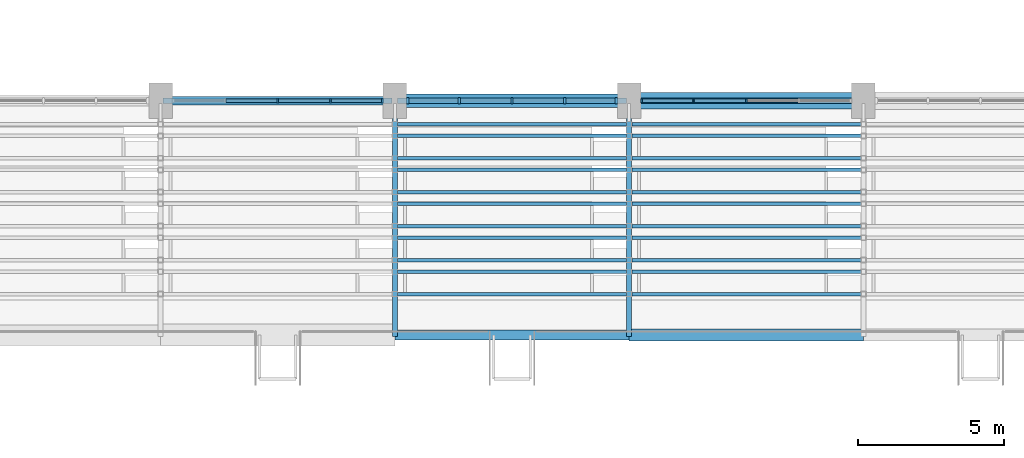
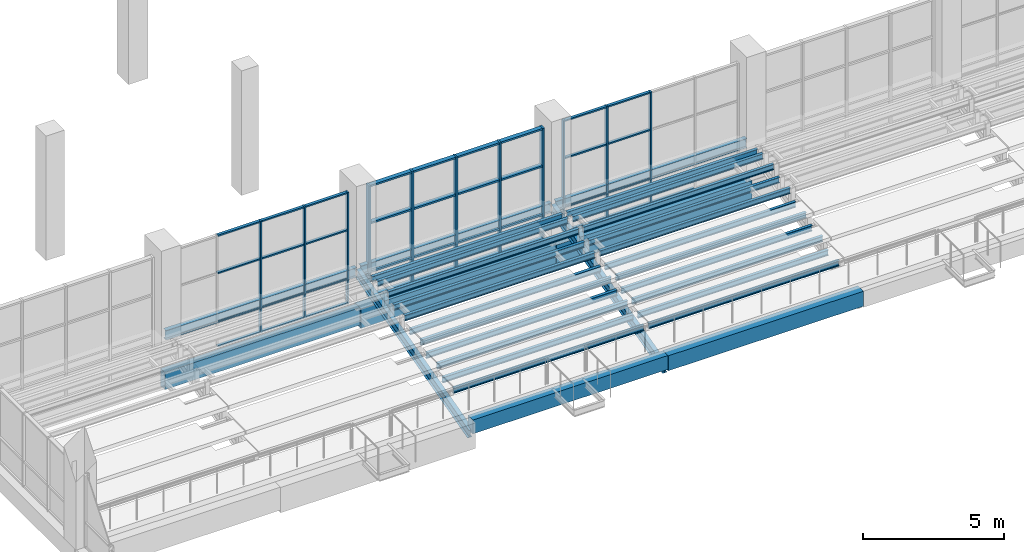
# One storey, part 16 of 122: 48 members, 32 beams, 3 elements without a shape of their own.
"""IFC4 building model written with IfcOpenShell, lengths in metres."""

from ifc_helpers import new_model, si_unit, direction, frame, origin, origin_2d, place, context, subcontext, project, spatial, rectangle, i_section, extrude, material, material_profile, profile_set, type_object, element, aggregate, save


model = new_model("IFC4")

# Units and contexts
model_context = context("Model", 3, precision=1e-05, world=origin(), true_north=direction((0.0, 1.0)))
body_context = subcontext(model_context, "Body", "Model", "MODEL_VIEW")
ifc_project = project(units=[si_unit("LENGTHUNIT", "METRE"), si_unit("AREAUNIT", "SQUARE_METRE"), si_unit("VOLUMEUNIT", "CUBIC_METRE"), si_unit("PLANEANGLEUNIT", "RADIAN"), si_unit("MASSUNIT", "GRAM", prefix="KILO")], contexts=[model_context])

# Site, building, storey
site_placement = place(None, origin())
site = spatial("IfcSite", under=ifc_project, at=site_placement, CompositionType="ELEMENT")
building_placement = place(site_placement, origin())
building = spatial("IfcBuilding", under=site, at=building_placement, Name="Tenunan Teduh Sports Hall", CompositionType="ELEMENT")
storey_placement = place(building_placement, frame((0.0, 0.0, 5.39990234375)))
storey = spatial("IfcBuildingStorey", under=building, at=storey_placement, Name="L01", CompositionType="ELEMENT", Elevation=5.39990234375)

# Beams
ifc_material_1 = material(Name="Concrete C40/50", Category="concrete")
ifc_material_profile_1 = material_profile(ifc_material_1, rectangle(XDim=0.35009765625, YDim=0.60009765625, at=origin_2d()), Name="RCB 350x600")
ifc_profile_set_1 = profile_set([ifc_material_profile_1], Name="Concrete C40/50")
beam_type_1 = type_object("IfcBeamType", Name="BM-RC-350x600", PredefinedType="BEAM", material=ifc_profile_set_1)
beam_1_placement = place(storey_placement, frame((22.0, 38.0, -0.559814453125), z_axis=(1.0, 0.0, 0.0), x_axis=(0.0, 1.0, 0.0)))
element("IfcBeam", 1, at=beam_1_placement, inside=storey, type_object=beam_type_1, Name="BM-B-04-L01-1056", PredefinedType="BEAM", context=body_context, shape_type="SweptSolid", body=[
    extrude(rectangle(XDim=0.35009765625, YDim=0.60009765625, at=origin_2d()), origin(), (0.0, 0.0, 1.0), 8.0),
])
ifc_material_2 = material(Name="Concrete C40/50", Category="concrete")
ifc_material_profile_2 = material_profile(ifc_material_2, rectangle(XDim=0.39990234375, YDim=0.64990234375, at=origin_2d()), Name="RCB 400x650")
ifc_profile_set_2 = profile_set([ifc_material_profile_2], Name="Concrete C40/50")
beam_type_2 = type_object("IfcBeamType", Name="BM-RC-400x650", PredefinedType="BEAM", material=ifc_profile_set_2)
beam_2_placement = place(storey_placement, frame((30.0, 38.0, -0.5849609375), z_axis=(1.0, 0.0, 0.0), x_axis=(0.0, 1.0, 0.0)))
element("IfcBeam", 2, at=beam_2_placement, inside=storey, type_object=beam_type_2, Name="BM-B-07-L01-1057", PredefinedType="BEAM", context=body_context, shape_type="SweptSolid", body=[
    extrude(rectangle(XDim=0.39990234375, YDim=0.64990234375, at=origin_2d()), origin(), (0.0, 0.0, 1.0), 8.0),
])
ifc_material_3 = material(Name="Concrete C40/50", Category="concrete")
ifc_material_profile_3 = material_profile(ifc_material_3, rectangle(XDim=0.449951171875, YDim=0.85009765625, at=origin_2d()), Name="RCB 450x850")
ifc_profile_set_3 = profile_set([ifc_material_profile_3], Name="Concrete C40/50")
beam_type_3 = type_object("IfcBeamType", Name="BM-RC-450x850", PredefinedType="BEAM", material=ifc_profile_set_3)
beam_3_placement = place(storey_placement, frame((22.0, 46.0, -0.684814453125), z_axis=(1.0, 0.0, 0.0), x_axis=(0.0, 1.0, 0.0)))
element("IfcBeam", 3, at=beam_3_placement, inside=storey, type_object=beam_type_3, Name="BM-B-13-L01-1072", PredefinedType="BEAM", context=body_context, shape_type="SweptSolid", body=[
    extrude(rectangle(XDim=0.449951171875, YDim=0.85009765625, at=origin_2d()), origin(), (0.0, 0.0, 1.0), 8.0),
])
ifc_material_4 = material(Name="Concrete C40/50", Category="concrete")
ifc_material_profile_4 = material_profile(ifc_material_4, rectangle(XDim=0.550048828125, YDim=0.89990234375, at=origin_2d()), Name="RCB 550x900")
ifc_profile_set_4 = profile_set([ifc_material_profile_4], Name="Concrete C40/50")
beam_type_4 = type_object("IfcBeamType", Name="BM-RC-550x900", PredefinedType="BEAM", material=ifc_profile_set_4)
beam_4_placement = place(storey_placement, frame((30.0, 46.0, -0.7099609375), z_axis=(1.0, 0.0, 0.0), x_axis=(0.0, 1.0, 0.0)))
element("IfcBeam", 4, at=beam_4_placement, inside=storey, type_object=beam_type_4, Name="BM-B-16-L01-1073", PredefinedType="BEAM", context=body_context, shape_type="SweptSolid", body=[
    extrude(rectangle(XDim=0.550048828125, YDim=0.89990234375, at=origin_2d()), origin(), (0.0, 0.0, 1.0), 8.0),
])
ifc_material_5 = material(Name="Concrete C40/50", Category="concrete")
ifc_material_profile_5 = material_profile(ifc_material_5, rectangle(XDim=0.300048828125, YDim=0.75, at=origin_2d()), Name="SPB 300x750")
ifc_profile_set_5 = profile_set([ifc_material_profile_5], Name="Concrete C40/50")
beam_type_5 = type_object("IfcBeamType", Name="BM-SP-300x750", PredefinedType="SPANDREL", material=ifc_profile_set_5)
beam_5_placement = place(storey_placement, frame((14.0, 46.0, -0.635009765625), z_axis=(1.0, 0.0, 0.0), x_axis=(0.0, 1.0, 0.0)))
element("IfcBeam", 5, at=beam_5_placement, inside=storey, type_object=beam_type_5, Name="BM-SP-01-L01-1071", PredefinedType="SPANDREL", context=body_context, shape_type="SweptSolid", body=[
    extrude(rectangle(XDim=0.300048828125, YDim=0.75, at=origin_2d()), origin(), (0.0, 0.0, 1.0), 8.0),
])

# Curtain wall, members
ifc_material_6 = material(Name="Anodised aluminium", Category="aluminium")
curtain_wall_type = type_object("IfcCurtainWallType", Name="CW-UNIT-1", PredefinedType="NOTDEFINED", material=ifc_material_6)
curtain_wall_1_placement = place(storey_placement, origin())
curtain_wall_1 = element("IfcCurtainWall", 6, at=curtain_wall_1_placement, inside=storey, type_object=curtain_wall_type, Name="CW-CWM-150-L01-043", PredefinedType="NOTDEFINED")
ifc_material_7 = material(Name="Anodised aluminium", Category="aluminium")
ifc_material_profile_6 = material_profile(ifc_material_7, rectangle(XDim=0.06005859375, YDim=0.14990234375, at=origin_2d()), Name="CWM 60x150")
ifc_profile_set_6 = profile_set([ifc_material_profile_6], Name="Anodised aluminium")
member_type_1 = type_object("IfcMemberType", Name="CWM-150", PredefinedType="MULLION", material=ifc_profile_set_6)
member_1_placement = place(storey_placement, frame((18.0, 46.0, 0.0), z_axis=(0.0, 0.0, 1.0), x_axis=(1.0, 0.0, 0.0)))
member_1 = element("IfcMember", 7, at=member_1_placement, type_object=member_type_1, Name="CW-01 mullion 3", PredefinedType="MULLION", context=body_context, shape_type="SweptSolid", body=[
    extrude(rectangle(XDim=0.06005859375, YDim=0.14990234375, at=origin_2d()), origin(), (0.0, 0.0, 1.0), 4.85009765625),
])
member_2_placement = place(storey_placement, frame((19.800048828125, 46.0, 0.0), z_axis=(0.0, 0.0, 1.0), x_axis=(1.0, 0.0, 0.0)))
member_2 = element("IfcMember", 8, at=member_2_placement, type_object=member_type_1, Name="CW-01 mullion 4", PredefinedType="MULLION", context=body_context, shape_type="SweptSolid", body=[
    extrude(rectangle(XDim=0.06005859375, YDim=0.14990234375, at=origin_2d()), origin(), (0.0, 0.0, 1.0), 4.85009765625),
])
member_3_placement = place(storey_placement, frame((21.570068359375, 46.0, 0.0), z_axis=(0.0, 0.0, 1.0), x_axis=(1.0, 0.0, 0.0)))
member_3 = element("IfcMember", 9, at=member_3_placement, type_object=member_type_1, Name="CW-01 mullion 5", PredefinedType="MULLION", context=body_context, shape_type="SweptSolid", body=[
    extrude(rectangle(XDim=0.06005859375, YDim=0.14990234375, at=origin_2d()), origin(), (0.0, 0.0, 1.0), 4.85009765625),
])

curtain_wall_2_placement = place(storey_placement, origin())
curtain_wall_2 = element("IfcCurtainWall", 10, at=curtain_wall_2_placement, inside=storey, type_object=curtain_wall_type, Name="CW-CWM-150-L01-047", PredefinedType="NOTDEFINED")
member_4_placement = place(storey_placement, frame((30.429931640625, 46.0, 0.0), z_axis=(0.0, 0.0, 1.0), x_axis=(1.0, 0.0, 0.0)))
member_4 = element("IfcMember", 11, at=member_4_placement, type_object=member_type_1, Name="CW-01 mullion 1", PredefinedType="MULLION", context=body_context, shape_type="SweptSolid", body=[
    extrude(rectangle(XDim=0.06005859375, YDim=0.14990234375, at=origin_2d()), origin(), (0.0, 0.0, 1.0), 4.85009765625),
])
member_5_placement = place(storey_placement, frame((32.199951171875, 46.0, 0.0), z_axis=(0.0, 0.0, 1.0), x_axis=(1.0, 0.0, 0.0)))
member_5 = element("IfcMember", 12, at=member_5_placement, type_object=member_type_1, Name="CW-01 mullion 2", PredefinedType="MULLION", context=body_context, shape_type="SweptSolid", body=[
    extrude(rectangle(XDim=0.06005859375, YDim=0.14990234375, at=origin_2d()), origin(), (0.0, 0.0, 1.0), 4.85009765625),
])
member_6_placement = place(storey_placement, frame((34.0, 46.0, 0.0), z_axis=(0.0, 0.0, 1.0), x_axis=(1.0, 0.0, 0.0)))
member_6 = element("IfcMember", 13, at=member_6_placement, type_object=member_type_1, Name="CW-01 mullion 3", PredefinedType="MULLION", context=body_context, shape_type="SweptSolid", body=[
    extrude(rectangle(XDim=0.06005859375, YDim=0.14990234375, at=origin_2d()), origin(), (0.0, 0.0, 1.0), 4.85009765625),
])

curtain_wall_3_placement = place(storey_placement, origin())
curtain_wall_3 = element("IfcCurtainWall", 14, at=curtain_wall_3_placement, inside=storey, type_object=curtain_wall_type, Name="CW-CWM-220-L01-045", PredefinedType="NOTDEFINED")
ifc_material_8 = material(Name="Anodised aluminium", Category="aluminium")
ifc_material_profile_7 = material_profile(ifc_material_8, rectangle(XDim=0.074951171875, YDim=0.219970703125, at=origin_2d()), Name="CWM 75x220")
ifc_profile_set_7 = profile_set([ifc_material_profile_7], Name="Anodised aluminium")
member_type_2 = type_object("IfcMemberType", Name="CWM-220", PredefinedType="MULLION", material=ifc_profile_set_7)
member_7_placement = place(storey_placement, frame((22.4375, 46.0, 0.0), z_axis=(0.0, 0.0, 1.0), x_axis=(1.0, 0.0, 0.0)))
member_7 = element("IfcMember", 15, at=member_7_placement, type_object=member_type_2, Name="CW-01 mullion 1", PredefinedType="MULLION", context=body_context, shape_type="SweptSolid", body=[
    extrude(rectangle(XDim=0.074951171875, YDim=0.219970703125, at=origin_2d()), origin(), (0.0, 0.0, 1.0), 4.85009765625),
])
member_8_placement = place(storey_placement, frame((24.199951171875, 46.0, 0.0), z_axis=(0.0, 0.0, 1.0), x_axis=(1.0, 0.0, 0.0)))
member_8 = element("IfcMember", 16, at=member_8_placement, type_object=member_type_2, Name="CW-01 mullion 2", PredefinedType="MULLION", context=body_context, shape_type="SweptSolid", body=[
    extrude(rectangle(XDim=0.074951171875, YDim=0.219970703125, at=origin_2d()), origin(), (0.0, 0.0, 1.0), 4.85009765625),
])
member_9_placement = place(storey_placement, frame((26.0, 46.0, 0.0), z_axis=(0.0, 0.0, 1.0), x_axis=(1.0, 0.0, 0.0)))
member_9 = element("IfcMember", 17, at=member_9_placement, type_object=member_type_2, Name="CW-01 mullion 3", PredefinedType="MULLION", context=body_context, shape_type="SweptSolid", body=[
    extrude(rectangle(XDim=0.074951171875, YDim=0.219970703125, at=origin_2d()), origin(), (0.0, 0.0, 1.0), 4.85009765625),
])
member_10_placement = place(storey_placement, frame((27.800048828125, 46.0, 0.0), z_axis=(0.0, 0.0, 1.0), x_axis=(1.0, 0.0, 0.0)))
member_10 = element("IfcMember", 18, at=member_10_placement, type_object=member_type_2, Name="CW-01 mullion 4", PredefinedType="MULLION", context=body_context, shape_type="SweptSolid", body=[
    extrude(rectangle(XDim=0.074951171875, YDim=0.219970703125, at=origin_2d()), origin(), (0.0, 0.0, 1.0), 4.85009765625),
])
member_11_placement = place(storey_placement, frame((29.5625, 46.0, 0.0), z_axis=(0.0, 0.0, 1.0), x_axis=(1.0, 0.0, 0.0)))
member_11 = element("IfcMember", 19, at=member_11_placement, type_object=member_type_2, Name="CW-01 mullion 5", PredefinedType="MULLION", context=body_context, shape_type="SweptSolid", body=[
    extrude(rectangle(XDim=0.074951171875, YDim=0.219970703125, at=origin_2d()), origin(), (0.0, 0.0, 1.0), 4.85009765625),
])

# Member
ifc_material_9 = material(Name="Anodised aluminium", Category="aluminium")
ifc_material_profile_8 = material_profile(ifc_material_9, rectangle(XDim=0.06005859375, YDim=0.1201171875, at=origin_2d()), Name="CWT 60x120")
ifc_profile_set_8 = profile_set([ifc_material_profile_8], Name="Anodised aluminium")
member_type_3 = type_object("IfcMemberType", Name="CWT-125", PredefinedType="USERDEFINED", material=ifc_profile_set_8)
member_12_placement = place(storey_placement, frame((16.22998046875, 46.0, 0.030029296875), z_axis=(1.0, 0.0, 0.0), x_axis=(0.0, 0.0, 1.0)))
member_12 = element("IfcMember", 20, at=member_12_placement, type_object=member_type_3, Name="CW-01 transom 2.1", ObjectType="TRANSOM", PredefinedType="USERDEFINED", context=body_context, shape_type="SweptSolid", body=[
    extrude(rectangle(XDim=0.06005859375, YDim=0.1201171875, at=origin_2d()), origin(), (0.0, 0.0, 1.0), 1.739990234375),
])

member_13_placement = place(storey_placement, frame((16.22998046875, 46.0, 1.10009765625), z_axis=(1.0, 0.0, 0.0), x_axis=(0.0, 0.0, 1.0)))
member_13 = element("IfcMember", 21, at=member_13_placement, type_object=member_type_3, Name="CW-01 transom 2.2", ObjectType="TRANSOM", PredefinedType="USERDEFINED", context=body_context, shape_type="SweptSolid", body=[
    extrude(rectangle(XDim=0.06005859375, YDim=0.1201171875, at=origin_2d()), origin(), (0.0, 0.0, 1.0), 1.739990234375),
])

member_14_placement = place(storey_placement, frame((16.22998046875, 46.0, 3.2001953125), z_axis=(1.0, 0.0, 0.0), x_axis=(0.0, 0.0, 1.0)))
member_14 = element("IfcMember", 22, at=member_14_placement, type_object=member_type_3, Name="CW-01 transom 2.3", ObjectType="TRANSOM", PredefinedType="USERDEFINED", context=body_context, shape_type="SweptSolid", body=[
    extrude(rectangle(XDim=0.06005859375, YDim=0.1201171875, at=origin_2d()), origin(), (0.0, 0.0, 1.0), 1.739990234375),
])

member_15_placement = place(storey_placement, frame((16.22998046875, 46.0, 4.820068359375), z_axis=(1.0, 0.0, 0.0), x_axis=(0.0, 0.0, 1.0)))
member_15 = element("IfcMember", 23, at=member_15_placement, type_object=member_type_3, Name="CW-01 transom 2.4", ObjectType="TRANSOM", PredefinedType="USERDEFINED", context=body_context, shape_type="SweptSolid", body=[
    extrude(rectangle(XDim=0.06005859375, YDim=0.1201171875, at=origin_2d()), origin(), (0.0, 0.0, 1.0), 1.739990234375),
])

member_16_placement = place(storey_placement, frame((18.030029296875, 46.0, 0.030029296875), z_axis=(1.0, 0.0, 0.0), x_axis=(0.0, 0.0, 1.0)))
member_16 = element("IfcMember", 24, at=member_16_placement, type_object=member_type_3, Name="CW-01 transom 3.1", ObjectType="TRANSOM", PredefinedType="USERDEFINED", context=body_context, shape_type="SweptSolid", body=[
    extrude(rectangle(XDim=0.06005859375, YDim=0.1201171875, at=origin_2d()), origin(), (0.0, 0.0, 1.0), 1.739990234375),
])

member_17_placement = place(storey_placement, frame((18.030029296875, 46.0, 1.10009765625), z_axis=(1.0, 0.0, 0.0), x_axis=(0.0, 0.0, 1.0)))
member_17 = element("IfcMember", 25, at=member_17_placement, type_object=member_type_3, Name="CW-01 transom 3.2", ObjectType="TRANSOM", PredefinedType="USERDEFINED", context=body_context, shape_type="SweptSolid", body=[
    extrude(rectangle(XDim=0.06005859375, YDim=0.1201171875, at=origin_2d()), origin(), (0.0, 0.0, 1.0), 1.739990234375),
])

member_18_placement = place(storey_placement, frame((18.030029296875, 46.0, 3.2001953125), z_axis=(1.0, 0.0, 0.0), x_axis=(0.0, 0.0, 1.0)))
member_18 = element("IfcMember", 26, at=member_18_placement, type_object=member_type_3, Name="CW-01 transom 3.3", ObjectType="TRANSOM", PredefinedType="USERDEFINED", context=body_context, shape_type="SweptSolid", body=[
    extrude(rectangle(XDim=0.06005859375, YDim=0.1201171875, at=origin_2d()), origin(), (0.0, 0.0, 1.0), 1.739990234375),
])

member_19_placement = place(storey_placement, frame((18.030029296875, 46.0, 4.820068359375), z_axis=(1.0, 0.0, 0.0), x_axis=(0.0, 0.0, 1.0)))
member_19 = element("IfcMember", 27, at=member_19_placement, type_object=member_type_3, Name="CW-01 transom 3.4", ObjectType="TRANSOM", PredefinedType="USERDEFINED", context=body_context, shape_type="SweptSolid", body=[
    extrude(rectangle(XDim=0.06005859375, YDim=0.1201171875, at=origin_2d()), origin(), (0.0, 0.0, 1.0), 1.739990234375),
])

member_20_placement = place(storey_placement, frame((19.830078125, 46.0, 0.030029296875), z_axis=(1.0, 0.0, 0.0), x_axis=(0.0, 0.0, 1.0)))
member_20 = element("IfcMember", 28, at=member_20_placement, type_object=member_type_3, Name="CW-01 transom 4.1", ObjectType="TRANSOM", PredefinedType="USERDEFINED", context=body_context, shape_type="SweptSolid", body=[
    extrude(rectangle(XDim=0.06005859375, YDim=0.1201171875, at=origin_2d()), origin(), (0.0, 0.0, 1.0), 1.7099609375),
])

member_21_placement = place(storey_placement, frame((19.830078125, 46.0, 1.10009765625), z_axis=(1.0, 0.0, 0.0), x_axis=(0.0, 0.0, 1.0)))
member_21 = element("IfcMember", 29, at=member_21_placement, type_object=member_type_3, Name="CW-01 transom 4.2", ObjectType="TRANSOM", PredefinedType="USERDEFINED", context=body_context, shape_type="SweptSolid", body=[
    extrude(rectangle(XDim=0.06005859375, YDim=0.1201171875, at=origin_2d()), origin(), (0.0, 0.0, 1.0), 1.7099609375),
])

member_22_placement = place(storey_placement, frame((19.830078125, 46.0, 3.2001953125), z_axis=(1.0, 0.0, 0.0), x_axis=(0.0, 0.0, 1.0)))
member_22 = element("IfcMember", 30, at=member_22_placement, type_object=member_type_3, Name="CW-01 transom 4.3", ObjectType="TRANSOM", PredefinedType="USERDEFINED", context=body_context, shape_type="SweptSolid", body=[
    extrude(rectangle(XDim=0.06005859375, YDim=0.1201171875, at=origin_2d()), origin(), (0.0, 0.0, 1.0), 1.7099609375),
])

member_23_placement = place(storey_placement, frame((19.830078125, 46.0, 4.820068359375), z_axis=(1.0, 0.0, 0.0), x_axis=(0.0, 0.0, 1.0)))
member_23 = element("IfcMember", 31, at=member_23_placement, type_object=member_type_3, Name="CW-01 transom 4.4", ObjectType="TRANSOM", PredefinedType="USERDEFINED", context=body_context, shape_type="SweptSolid", body=[
    extrude(rectangle(XDim=0.06005859375, YDim=0.1201171875, at=origin_2d()), origin(), (0.0, 0.0, 1.0), 1.7099609375),
])

aggregate(curtain_wall_1, [member_1, member_2, member_3, member_12, member_13, member_14, member_15, member_16, member_17, member_18, member_19, member_20, member_21, member_22, member_23])

member_24_placement = place(storey_placement, frame((30.4599609375, 46.0, 0.030029296875), z_axis=(1.0, 0.0, 0.0), x_axis=(0.0, 0.0, 1.0)))
member_24 = element("IfcMember", 32, at=member_24_placement, type_object=member_type_3, Name="CW-01 transom 1.1", ObjectType="TRANSOM", PredefinedType="USERDEFINED", context=body_context, shape_type="SweptSolid", body=[
    extrude(rectangle(XDim=0.06005859375, YDim=0.1201171875, at=origin_2d()), origin(), (0.0, 0.0, 1.0), 1.7099609375),
])

member_25_placement = place(storey_placement, frame((30.4599609375, 46.0, 1.10009765625), z_axis=(1.0, 0.0, 0.0), x_axis=(0.0, 0.0, 1.0)))
member_25 = element("IfcMember", 33, at=member_25_placement, type_object=member_type_3, Name="CW-01 transom 1.2", ObjectType="TRANSOM", PredefinedType="USERDEFINED", context=body_context, shape_type="SweptSolid", body=[
    extrude(rectangle(XDim=0.06005859375, YDim=0.1201171875, at=origin_2d()), origin(), (0.0, 0.0, 1.0), 1.7099609375),
])

member_26_placement = place(storey_placement, frame((30.4599609375, 46.0, 3.2001953125), z_axis=(1.0, 0.0, 0.0), x_axis=(0.0, 0.0, 1.0)))
member_26 = element("IfcMember", 34, at=member_26_placement, type_object=member_type_3, Name="CW-01 transom 1.3", ObjectType="TRANSOM", PredefinedType="USERDEFINED", context=body_context, shape_type="SweptSolid", body=[
    extrude(rectangle(XDim=0.06005859375, YDim=0.1201171875, at=origin_2d()), origin(), (0.0, 0.0, 1.0), 1.7099609375),
])

member_27_placement = place(storey_placement, frame((30.4599609375, 46.0, 4.820068359375), z_axis=(1.0, 0.0, 0.0), x_axis=(0.0, 0.0, 1.0)))
member_27 = element("IfcMember", 35, at=member_27_placement, type_object=member_type_3, Name="CW-01 transom 1.4", ObjectType="TRANSOM", PredefinedType="USERDEFINED", context=body_context, shape_type="SweptSolid", body=[
    extrude(rectangle(XDim=0.06005859375, YDim=0.1201171875, at=origin_2d()), origin(), (0.0, 0.0, 1.0), 1.7099609375),
])

member_28_placement = place(storey_placement, frame((32.22998046875, 46.0, 0.030029296875), z_axis=(1.0, 0.0, 0.0), x_axis=(0.0, 0.0, 1.0)))
member_28 = element("IfcMember", 36, at=member_28_placement, type_object=member_type_3, Name="CW-01 transom 2.1", ObjectType="TRANSOM", PredefinedType="USERDEFINED", context=body_context, shape_type="SweptSolid", body=[
    extrude(rectangle(XDim=0.06005859375, YDim=0.1201171875, at=origin_2d()), origin(), (0.0, 0.0, 1.0), 1.739990234375),
])

member_29_placement = place(storey_placement, frame((32.22998046875, 46.0, 1.10009765625), z_axis=(1.0, 0.0, 0.0), x_axis=(0.0, 0.0, 1.0)))
member_29 = element("IfcMember", 37, at=member_29_placement, type_object=member_type_3, Name="CW-01 transom 2.2", ObjectType="TRANSOM", PredefinedType="USERDEFINED", context=body_context, shape_type="SweptSolid", body=[
    extrude(rectangle(XDim=0.06005859375, YDim=0.1201171875, at=origin_2d()), origin(), (0.0, 0.0, 1.0), 1.739990234375),
])

member_30_placement = place(storey_placement, frame((32.22998046875, 46.0, 3.2001953125), z_axis=(1.0, 0.0, 0.0), x_axis=(0.0, 0.0, 1.0)))
member_30 = element("IfcMember", 38, at=member_30_placement, type_object=member_type_3, Name="CW-01 transom 2.3", ObjectType="TRANSOM", PredefinedType="USERDEFINED", context=body_context, shape_type="SweptSolid", body=[
    extrude(rectangle(XDim=0.06005859375, YDim=0.1201171875, at=origin_2d()), origin(), (0.0, 0.0, 1.0), 1.739990234375),
])

member_31_placement = place(storey_placement, frame((32.22998046875, 46.0, 4.820068359375), z_axis=(1.0, 0.0, 0.0), x_axis=(0.0, 0.0, 1.0)))
member_31 = element("IfcMember", 39, at=member_31_placement, type_object=member_type_3, Name="CW-01 transom 2.4", ObjectType="TRANSOM", PredefinedType="USERDEFINED", context=body_context, shape_type="SweptSolid", body=[
    extrude(rectangle(XDim=0.06005859375, YDim=0.1201171875, at=origin_2d()), origin(), (0.0, 0.0, 1.0), 1.739990234375),
])

member_32_placement = place(storey_placement, frame((34.030029296875, 46.0, 0.030029296875), z_axis=(1.0, 0.0, 0.0), x_axis=(0.0, 0.0, 1.0)))
member_32 = element("IfcMember", 40, at=member_32_placement, type_object=member_type_3, Name="CW-01 transom 3.1", ObjectType="TRANSOM", PredefinedType="USERDEFINED", context=body_context, shape_type="SweptSolid", body=[
    extrude(rectangle(XDim=0.06005859375, YDim=0.1201171875, at=origin_2d()), origin(), (0.0, 0.0, 1.0), 1.739990234375),
])

aggregate(curtain_wall_2, [member_4, member_5, member_6, member_24, member_25, member_26, member_27, member_28, member_29, member_30, member_31, member_32])

ifc_material_10 = material(Name="Anodised aluminium", Category="aluminium")
ifc_material_profile_9 = material_profile(ifc_material_10, rectangle(XDim=0.074951171875, YDim=0.179931640625, at=origin_2d()), Name="CWT 75x180")
ifc_profile_set_9 = profile_set([ifc_material_profile_9], Name="Anodised aluminium")
member_type_4 = type_object("IfcMemberType", Name="CWT-180", PredefinedType="USERDEFINED", material=ifc_profile_set_9)
member_33_placement = place(storey_placement, frame((22.47509765625, 46.0, 0.03759765625), z_axis=(1.0, 0.0, 0.0), x_axis=(0.0, 0.0, 1.0)))
member_33 = element("IfcMember", 41, at=member_33_placement, type_object=member_type_4, Name="CW-01 transom 1.1", ObjectType="TRANSOM", PredefinedType="USERDEFINED", context=body_context, shape_type="SweptSolid", body=[
    extrude(rectangle(XDim=0.074951171875, YDim=0.179931640625, at=origin_2d()), origin(), (0.0, 0.0, 1.0), 1.6875),
])

member_34_placement = place(storey_placement, frame((22.47509765625, 46.0, 1.10009765625), z_axis=(1.0, 0.0, 0.0), x_axis=(0.0, 0.0, 1.0)))
member_34 = element("IfcMember", 42, at=member_34_placement, type_object=member_type_4, Name="CW-01 transom 1.2", ObjectType="TRANSOM", PredefinedType="USERDEFINED", context=body_context, shape_type="SweptSolid", body=[
    extrude(rectangle(XDim=0.074951171875, YDim=0.179931640625, at=origin_2d()), origin(), (0.0, 0.0, 1.0), 1.6875),
])

member_35_placement = place(storey_placement, frame((22.47509765625, 46.0, 3.2001953125), z_axis=(1.0, 0.0, 0.0), x_axis=(0.0, 0.0, 1.0)))
member_35 = element("IfcMember", 43, at=member_35_placement, type_object=member_type_4, Name="CW-01 transom 1.3", ObjectType="TRANSOM", PredefinedType="USERDEFINED", context=body_context, shape_type="SweptSolid", body=[
    extrude(rectangle(XDim=0.074951171875, YDim=0.179931640625, at=origin_2d()), origin(), (0.0, 0.0, 1.0), 1.6875),
])

member_36_placement = place(storey_placement, frame((22.47509765625, 46.0, 4.8125), z_axis=(1.0, 0.0, 0.0), x_axis=(0.0, 0.0, 1.0)))
member_36 = element("IfcMember", 44, at=member_36_placement, type_object=member_type_4, Name="CW-01 transom 1.4", ObjectType="TRANSOM", PredefinedType="USERDEFINED", context=body_context, shape_type="SweptSolid", body=[
    extrude(rectangle(XDim=0.074951171875, YDim=0.179931640625, at=origin_2d()), origin(), (0.0, 0.0, 1.0), 1.6875),
])

member_37_placement = place(storey_placement, frame((24.237548828125, 46.0, 0.03759765625), z_axis=(1.0, 0.0, 0.0), x_axis=(0.0, 0.0, 1.0)))
member_37 = element("IfcMember", 45, at=member_37_placement, type_object=member_type_4, Name="CW-01 transom 2.1", ObjectType="TRANSOM", PredefinedType="USERDEFINED", context=body_context, shape_type="SweptSolid", body=[
    extrude(rectangle(XDim=0.074951171875, YDim=0.179931640625, at=origin_2d()), origin(), (0.0, 0.0, 1.0), 1.724853515625),
])

member_38_placement = place(storey_placement, frame((24.237548828125, 46.0, 1.10009765625), z_axis=(1.0, 0.0, 0.0), x_axis=(0.0, 0.0, 1.0)))
member_38 = element("IfcMember", 46, at=member_38_placement, type_object=member_type_4, Name="CW-01 transom 2.2", ObjectType="TRANSOM", PredefinedType="USERDEFINED", context=body_context, shape_type="SweptSolid", body=[
    extrude(rectangle(XDim=0.074951171875, YDim=0.179931640625, at=origin_2d()), origin(), (0.0, 0.0, 1.0), 1.724853515625),
])

member_39_placement = place(storey_placement, frame((24.237548828125, 46.0, 3.2001953125), z_axis=(1.0, 0.0, 0.0), x_axis=(0.0, 0.0, 1.0)))
member_39 = element("IfcMember", 47, at=member_39_placement, type_object=member_type_4, Name="CW-01 transom 2.3", ObjectType="TRANSOM", PredefinedType="USERDEFINED", context=body_context, shape_type="SweptSolid", body=[
    extrude(rectangle(XDim=0.074951171875, YDim=0.179931640625, at=origin_2d()), origin(), (0.0, 0.0, 1.0), 1.724853515625),
])

member_40_placement = place(storey_placement, frame((24.237548828125, 46.0, 4.8125), z_axis=(1.0, 0.0, 0.0), x_axis=(0.0, 0.0, 1.0)))
member_40 = element("IfcMember", 48, at=member_40_placement, type_object=member_type_4, Name="CW-01 transom 2.4", ObjectType="TRANSOM", PredefinedType="USERDEFINED", context=body_context, shape_type="SweptSolid", body=[
    extrude(rectangle(XDim=0.074951171875, YDim=0.179931640625, at=origin_2d()), origin(), (0.0, 0.0, 1.0), 1.724853515625),
])

member_41_placement = place(storey_placement, frame((26.03759765625, 46.0, 0.03759765625), z_axis=(1.0, 0.0, 0.0), x_axis=(0.0, 0.0, 1.0)))
member_41 = element("IfcMember", 49, at=member_41_placement, type_object=member_type_4, Name="CW-01 transom 3.1", ObjectType="TRANSOM", PredefinedType="USERDEFINED", context=body_context, shape_type="SweptSolid", body=[
    extrude(rectangle(XDim=0.074951171875, YDim=0.179931640625, at=origin_2d()), origin(), (0.0, 0.0, 1.0), 1.724853515625),
])

member_42_placement = place(storey_placement, frame((26.03759765625, 46.0, 1.10009765625), z_axis=(1.0, 0.0, 0.0), x_axis=(0.0, 0.0, 1.0)))
member_42 = element("IfcMember", 50, at=member_42_placement, type_object=member_type_4, Name="CW-01 transom 3.2", ObjectType="TRANSOM", PredefinedType="USERDEFINED", context=body_context, shape_type="SweptSolid", body=[
    extrude(rectangle(XDim=0.074951171875, YDim=0.179931640625, at=origin_2d()), origin(), (0.0, 0.0, 1.0), 1.724853515625),
])

member_43_placement = place(storey_placement, frame((26.03759765625, 46.0, 3.2001953125), z_axis=(1.0, 0.0, 0.0), x_axis=(0.0, 0.0, 1.0)))
member_43 = element("IfcMember", 51, at=member_43_placement, type_object=member_type_4, Name="CW-01 transom 3.3", ObjectType="TRANSOM", PredefinedType="USERDEFINED", context=body_context, shape_type="SweptSolid", body=[
    extrude(rectangle(XDim=0.074951171875, YDim=0.179931640625, at=origin_2d()), origin(), (0.0, 0.0, 1.0), 1.724853515625),
])

member_44_placement = place(storey_placement, frame((26.03759765625, 46.0, 4.8125), z_axis=(1.0, 0.0, 0.0), x_axis=(0.0, 0.0, 1.0)))
member_44 = element("IfcMember", 52, at=member_44_placement, type_object=member_type_4, Name="CW-01 transom 3.4", ObjectType="TRANSOM", PredefinedType="USERDEFINED", context=body_context, shape_type="SweptSolid", body=[
    extrude(rectangle(XDim=0.074951171875, YDim=0.179931640625, at=origin_2d()), origin(), (0.0, 0.0, 1.0), 1.724853515625),
])

member_45_placement = place(storey_placement, frame((27.83740234375, 46.0, 0.03759765625), z_axis=(1.0, 0.0, 0.0), x_axis=(0.0, 0.0, 1.0)))
member_45 = element("IfcMember", 53, at=member_45_placement, type_object=member_type_4, Name="CW-01 transom 4.1", ObjectType="TRANSOM", PredefinedType="USERDEFINED", context=body_context, shape_type="SweptSolid", body=[
    extrude(rectangle(XDim=0.074951171875, YDim=0.179931640625, at=origin_2d()), origin(), (0.0, 0.0, 1.0), 1.6875),
])

member_46_placement = place(storey_placement, frame((27.83740234375, 46.0, 1.10009765625), z_axis=(1.0, 0.0, 0.0), x_axis=(0.0, 0.0, 1.0)))
member_46 = element("IfcMember", 54, at=member_46_placement, type_object=member_type_4, Name="CW-01 transom 4.2", ObjectType="TRANSOM", PredefinedType="USERDEFINED", context=body_context, shape_type="SweptSolid", body=[
    extrude(rectangle(XDim=0.074951171875, YDim=0.179931640625, at=origin_2d()), origin(), (0.0, 0.0, 1.0), 1.6875),
])

member_47_placement = place(storey_placement, frame((27.83740234375, 46.0, 3.2001953125), z_axis=(1.0, 0.0, 0.0), x_axis=(0.0, 0.0, 1.0)))
member_47 = element("IfcMember", 55, at=member_47_placement, type_object=member_type_4, Name="CW-01 transom 4.3", ObjectType="TRANSOM", PredefinedType="USERDEFINED", context=body_context, shape_type="SweptSolid", body=[
    extrude(rectangle(XDim=0.074951171875, YDim=0.179931640625, at=origin_2d()), origin(), (0.0, 0.0, 1.0), 1.6875),
])

member_48_placement = place(storey_placement, frame((27.83740234375, 46.0, 4.8125), z_axis=(1.0, 0.0, 0.0), x_axis=(0.0, 0.0, 1.0)))
member_48 = element("IfcMember", 56, at=member_48_placement, type_object=member_type_4, Name="CW-01 transom 4.4", ObjectType="TRANSOM", PredefinedType="USERDEFINED", context=body_context, shape_type="SweptSolid", body=[
    extrude(rectangle(XDim=0.074951171875, YDim=0.179931640625, at=origin_2d()), origin(), (0.0, 0.0, 1.0), 1.6875),
])

aggregate(curtain_wall_3, [member_7, member_8, member_9, member_10, member_11, member_33, member_34, member_35, member_36, member_37, member_38, member_39, member_40, member_41, member_42, member_43, member_44, member_45, member_46, member_47, member_48])

# Beams
ifc_material_11 = material(Name="Steel S355", Category="steel")
ifc_material_profile_10 = material_profile(ifc_material_11, i_section(OverallWidth=0.1201171875, OverallDepth=0.239990234375, WebThickness=0.006103515625, FlangeThickness=0.009765625, FilletRadius=0.014892578125, at=origin_2d()), Name="IPE 240")
ifc_profile_set_10 = profile_set([ifc_material_profile_10], Name="Steel S355")
beam_type_6 = type_object("IfcBeamType", Name="JST-IPE240", PredefinedType="JOIST", material=ifc_profile_set_10)
for number, where, z_axis, x_axis, name in (
    (57, (22.090087890625, 45.199951171875, 1.360107421875), (1.0, 0.0, 0.0), (0.0, 1.0, 0.0), "BM-J-02-L01-2409"),
    (58, (30.090087890625, 45.199951171875, 1.360107421875), (1.0, 0.0, 0.0), (0.0, 1.0, 0.0), "BM-J-02-L01-2411"),
    (59, (22.090087890625, 39.39990234375, 0.050048828125), (1.0, 0.0, 0.0), (0.0, 1.0, 0.0), "BM-J-02-L01-2456"),
    (60, (22.090087890625, 40.159912109375, 0.050048828125), (1.0, 0.0, 0.0), (0.0, 1.0, 0.0), "BM-J-02-L01-2457"),
    (61, (22.090087890625, 40.56005859375, 0.405029296875), (1.0, 0.0, 0.0), (0.0, 1.0, 0.0), "BM-J-02-L01-2460"),
    (62, (22.090087890625, 41.320068359375, 0.405029296875), (1.0, 0.0, 0.0), (0.0, 1.0, 0.0), "BM-J-02-L01-2461"),
    (63, (22.090087890625, 41.719970703125, 0.72998046875), (1.0, 0.0, 0.0), (0.0, 1.0, 0.0), "BM-J-02-L01-2464"),
    (64, (22.090087890625, 42.47998046875, 0.72998046875), (1.0, 0.0, 0.0), (0.0, 1.0, 0.0), "BM-J-02-L01-2465"),
    (65, (22.090087890625, 42.8798828125, 1.085205078125), (1.0, 0.0, 0.0), (0.0, 1.0, 0.0), "BM-J-02-L01-2468"),
    (66, (22.090087890625, 43.639892578125, 1.085205078125), (1.0, 0.0, 0.0), (0.0, 1.0, 0.0), "BM-J-02-L01-2469"),
    (67, (22.090087890625, 44.0400390625, 1.41015625), (1.0, 0.0, 0.0), (0.0, 1.0, 0.0), "BM-J-02-L01-2472"),
    (68, (22.090087890625, 44.800048828125, 1.41015625), (1.0, 0.0, 0.0), (0.0, 1.0, 0.0), "BM-J-02-L01-2473"),
    (69, (30.090087890625, 39.39990234375, 0.050048828125), (1.0, 0.0, 0.0), (0.0, 1.0, 0.0), "BM-J-02-L01-2476"),
    (70, (30.090087890625, 40.159912109375, 0.050048828125), (1.0, 0.0, 0.0), (0.0, 1.0, 0.0), "BM-J-02-L01-2477"),
    (71, (30.090087890625, 40.56005859375, 0.405029296875), (1.0, 0.0, 0.0), (0.0, 1.0, 0.0), "BM-J-02-L01-2480"),
    (72, (30.090087890625, 41.320068359375, 0.405029296875), (1.0, 0.0, 0.0), (0.0, 1.0, 0.0), "BM-J-02-L01-2481"),
    (73, (30.090087890625, 41.719970703125, 0.72998046875), (1.0, 0.0, 0.0), (0.0, 1.0, 0.0), "BM-J-02-L01-2484"),
    (74, (30.090087890625, 42.47998046875, 0.72998046875), (1.0, 0.0, 0.0), (0.0, 1.0, 0.0), "BM-J-02-L01-2485"),
    (75, (30.090087890625, 42.8798828125, 1.085205078125), (1.0, 0.0, 0.0), (0.0, 1.0, 0.0), "BM-J-02-L01-2488"),
    (76, (30.090087890625, 43.639892578125, 1.085205078125), (1.0, 0.0, 0.0), (0.0, 1.0, 0.0), "BM-J-02-L01-2489"),
    (77, (30.090087890625, 44.0400390625, 1.41015625), (1.0, 0.0, 0.0), (0.0, 1.0, 0.0), "BM-J-02-L01-2492"),
    (78, (30.090087890625, 44.800048828125, 1.41015625), (1.0, 0.0, 0.0), (0.0, 1.0, 0.0), "BM-J-02-L01-2493"),
):
    element("IfcBeam", number, at=place(storey_placement, frame(where, z_axis=z_axis, x_axis=x_axis)), inside=storey, type_object=beam_type_6, Name=name, PredefinedType="JOIST", context=body_context, shape_type="SweptSolid", body=[
        extrude(i_section(OverallWidth=0.1201171875, OverallDepth=0.239990234375, WebThickness=0.006103515625, FlangeThickness=0.009765625, FilletRadius=0.014892578125, at=origin_2d()), origin(), (0.0, 0.0, 1.0), 7.81982421875),
    ])
ifc_material_12 = material(Name="Steel S355", Category="steel")
ifc_material_profile_11 = material_profile(ifc_material_12, i_section(OverallWidth=0.177978515625, OverallDepth=0.406494140625, WebThickness=0.0078125, FlangeThickness=0.0126953125, FilletRadius=0.01025390625, at=origin_2d()), Name="UKB 406x178x60")
ifc_profile_set_11 = profile_set([ifc_material_profile_11], Name="Steel S355")
beam_type_7 = type_object("IfcBeamType", Name="SBM-UKB406", PredefinedType="BEAM", material=ifc_profile_set_11)
for number, where, z_axis, x_axis, name in (
    (79, (22.0, 38.0, -0.953125), (0.0, 0.965735170115, 0.259529538209), (-1.0, 0.0, 0.0), "BM-SB-03-L01-2393"),
    (80, (30.0, 38.0, -0.953125), (0.0, 0.965735170115, 0.259529538209), (-1.0, 0.0, 0.0), "BM-SB-03-L01-2395"),
):
    element("IfcBeam", number, at=place(storey_placement, frame(where, z_axis=z_axis, x_axis=x_axis)), inside=storey, type_object=beam_type_7, Name=name, PredefinedType="BEAM", context=body_context, shape_type="SweptSolid", body=[
        extrude(i_section(OverallWidth=0.177978515625, OverallDepth=0.406494140625, WebThickness=0.0078125, FlangeThickness=0.0126953125, FilletRadius=0.01025390625, at=origin_2d()), origin(), (0.0, 0.0, 1.0), 8.283935546875),
    ])
for number, where, z_axis, x_axis, name in (
    (81, (14.090087890625, 46.0, 1.27685546875), (1.0, 0.0, 0.0), (0.0, 1.0, 0.0), "BM-SB-03-L01-2406"),
    (82, (22.090087890625, 46.0, 1.27685546875), (1.0, 0.0, 0.0), (0.0, 1.0, 0.0), "BM-SB-03-L01-2408"),
    (83, (30.090087890625, 46.0, 1.27685546875), (1.0, 0.0, 0.0), (0.0, 1.0, 0.0), "BM-SB-03-L01-2410"),
):
    element("IfcBeam", number, at=place(storey_placement, frame(where, z_axis=z_axis, x_axis=x_axis)), inside=storey, type_object=beam_type_7, Name=name, PredefinedType="BEAM", context=body_context, shape_type="SweptSolid", body=[
        extrude(i_section(OverallWidth=0.177978515625, OverallDepth=0.406494140625, WebThickness=0.0078125, FlangeThickness=0.0126953125, FilletRadius=0.01025390625, at=origin_2d()), origin(), (0.0, 0.0, 1.0), 7.81982421875),
    ])

save(model, "model.ifc")
